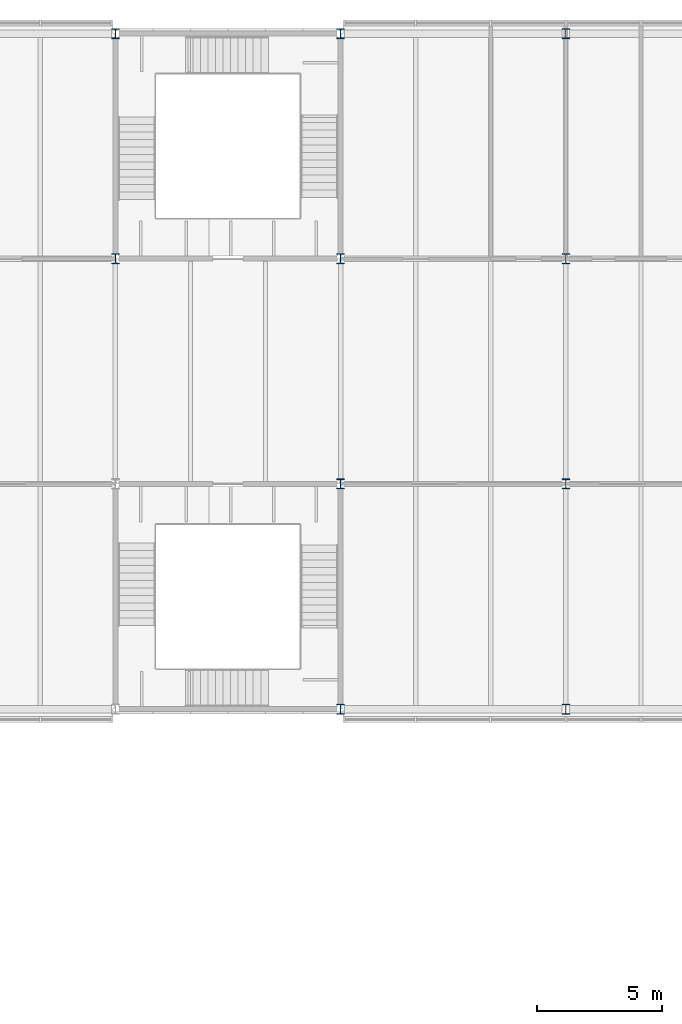
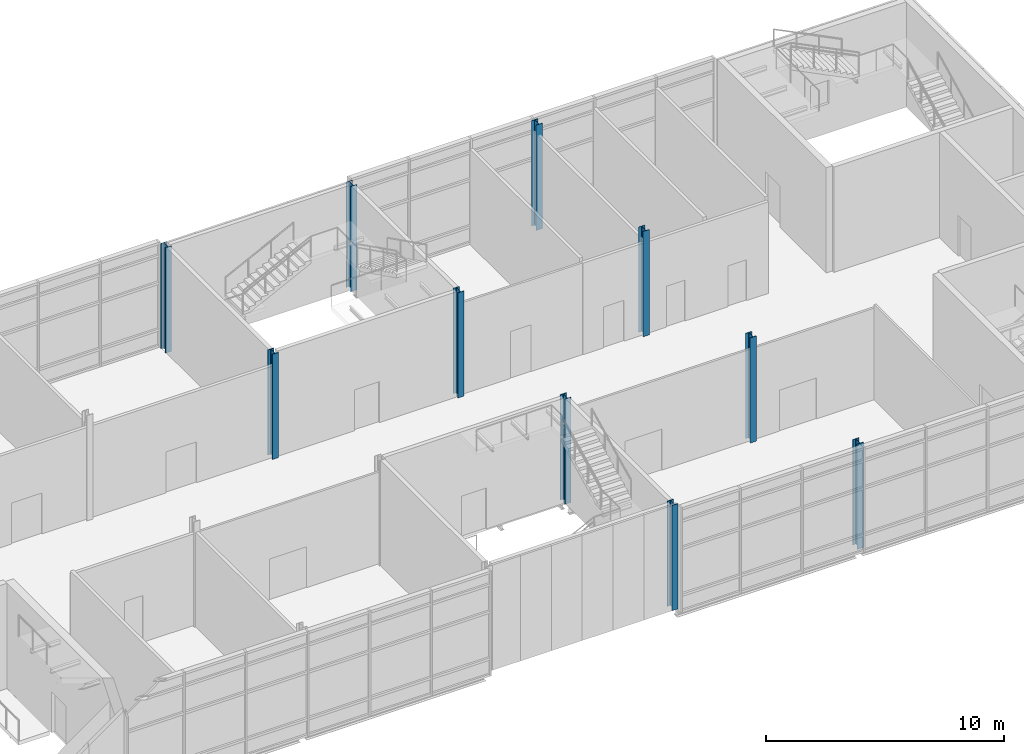
# One storey, part 7 of 56: 10 columns.
"""IFC4 building model written with IfcOpenShell, lengths in metres."""

from ifc_helpers import new_model, si_unit, direction, frame, origin, origin_2d, place, context, subcontext, project, spatial, i_section, extrude, material, material_profile, profile_set, type_object, element, save


model = new_model("IFC4")

# Units and contexts
model_context = context("Model", 3, precision=1e-05, world=origin(), true_north=direction((0.0, 1.0)))
body_context = subcontext(model_context, "Body", "Model", "MODEL_VIEW")
ifc_project = project(units=[si_unit("LENGTHUNIT", "METRE"), si_unit("AREAUNIT", "SQUARE_METRE"), si_unit("VOLUMEUNIT", "CUBIC_METRE"), si_unit("PLANEANGLEUNIT", "RADIAN"), si_unit("MASSUNIT", "GRAM", prefix="KILO")], contexts=[model_context])

# Site, building, storey
site_placement = place(None, origin())
site = spatial("IfcSite", under=ifc_project, at=site_placement, CompositionType="ELEMENT")
building_placement = place(site_placement, origin())
building = spatial("IfcBuilding", under=site, at=building_placement, Name="Azimuth Sports and Learning Centre", CompositionType="ELEMENT")
storey_placement = place(building_placement, frame((0.0, 0.0, 5.39990234375)))
storey = spatial("IfcBuildingStorey", under=building, at=storey_placement, Name="L01", CompositionType="ELEMENT", Elevation=5.39990234375)

# Columns
ifc_material = material(Name="Steel S355", Category="steel")
ifc_material_profile = material_profile(ifc_material, i_section(OverallWidth=0.300048828125, OverallDepth=0.39990234375, WebThickness=0.013427734375, FlangeThickness=0.02392578125, FilletRadius=0.027099609375, at=origin_2d()), Name="HEB 400")
ifc_profile_set = profile_set([ifc_material_profile], Name="Steel S355")
column_type = type_object("IfcColumnType", Name="Column HEB 400", PredefinedType="COLUMN", material=ifc_profile_set)
for number, where, z_axis, x_axis, name in (
    (1, (144.0, 90.0, 0.0), (0.0, 0.0, 1.0), (1.0, 0.0, 0.0), "Column 17L L01"),
    (2, (153.0, 90.0, 0.0), (0.0, 0.0, 1.0), (1.0, 0.0, 0.0), "Column 18L L01"),
    (3, (144.0, 99.0, 0.0), (0.0, 0.0, 1.0), (1.0, 0.0, 0.0), "Column 17M L01"),
    (4, (153.0, 99.0, 0.0), (0.0, 0.0, 1.0), (1.0, 0.0, 0.0), "Column 18M L01"),
    (5, (135.0, 108.0, 0.0), (0.0, 0.0, 1.0), (1.0, 0.0, 0.0), "Column 16N L01"),
    (6, (144.0, 108.0, 0.0), (0.0, 0.0, 1.0), (1.0, 0.0, 0.0), "Column 17N L01"),
    (7, (153.0, 108.0, 0.0), (0.0, 0.0, 1.0), (1.0, 0.0, 0.0), "Column 18N L01"),
    (8, (135.0, 117.0, 0.0), (0.0, 0.0, 1.0), (1.0, 0.0, 0.0), "Column 16P L01"),
    (9, (144.0, 117.0, 0.0), (0.0, 0.0, 1.0), (1.0, 0.0, 0.0), "Column 17P L01"),
    (10, (153.0, 117.0, 0.0), (0.0, 0.0, 1.0), (1.0, 0.0, 0.0), "Column 18P L01"),
):
    element("IfcColumn", number, at=place(storey_placement, frame(where, z_axis=z_axis, x_axis=x_axis)), inside=storey, type_object=column_type, Name=name, PredefinedType="COLUMN", context=body_context, shape_type="SweptSolid", body=[
        extrude(i_section(OverallWidth=0.300048828125, OverallDepth=0.39990234375, WebThickness=0.013427734375, FlangeThickness=0.02392578125, FilletRadius=0.027099609375, at=origin_2d()), origin(), (0.0, 0.0, 1.0), 5.400146484375),
    ])

save(model, "model.ifc")
